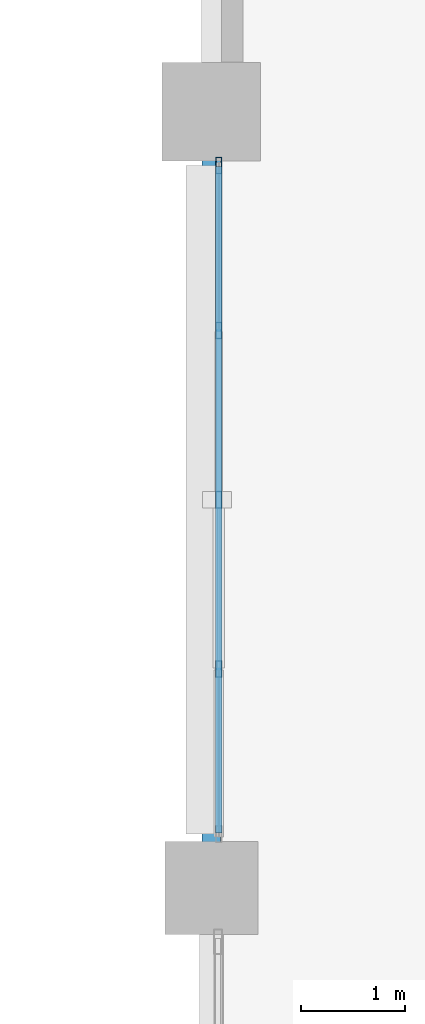
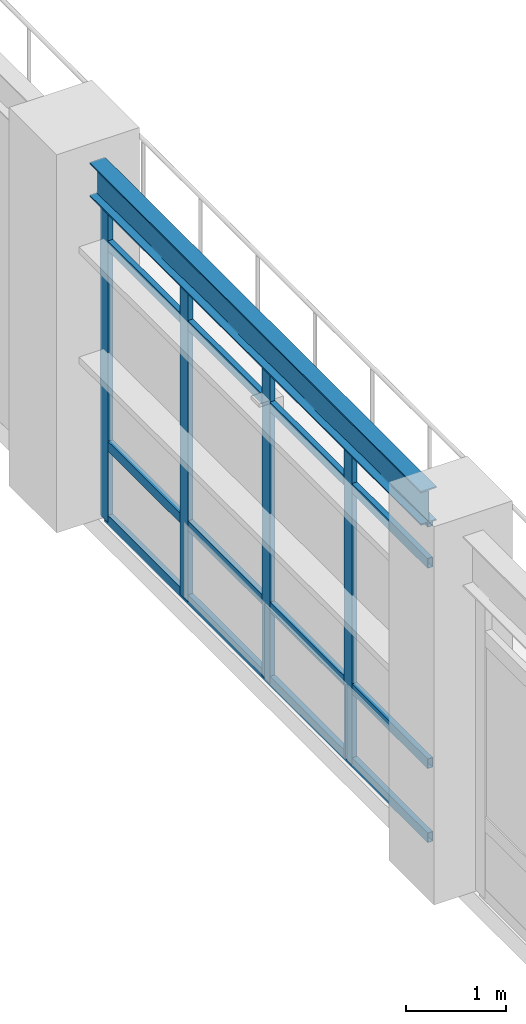
# One storey, part 97 of 168: 8 members, 1 beam, 1 element without a shape of its own.
"""IFC4 building model written with IfcOpenShell, lengths in metres."""

from ifc_helpers import new_model, si_unit, direction, frame, origin, origin_2d, place, context, subcontext, project, spatial, hollow_rectangle, i_section, extrude, material, material_profile, profile_set, type_object, element, aggregate, save


model = new_model("IFC4")

# Units and contexts
model_context = context("Model", 3, precision=1e-05, world=origin(), true_north=direction((0.0, 1.0)))
body_context = subcontext(model_context, "Body", "Model", "MODEL_VIEW")
ifc_project = project(units=[si_unit("LENGTHUNIT", "METRE"), si_unit("AREAUNIT", "SQUARE_METRE"), si_unit("VOLUMEUNIT", "CUBIC_METRE"), si_unit("PLANEANGLEUNIT", "RADIAN"), si_unit("MASSUNIT", "GRAM", prefix="KILO"), si_unit("THERMODYNAMICTEMPERATUREUNIT", "KELVIN"), si_unit("POWERUNIT", "WATT")], contexts=[model_context])

# Site, building, storey
site_placement = place(None, origin())
site = spatial("IfcSite", under=ifc_project, at=site_placement, CompositionType="ELEMENT")
building_placement = place(site_placement, origin())
building = spatial("IfcBuilding", under=site, at=building_placement, Name="Tepalcoro Natatorium and Aquatics Centre", CompositionType="ELEMENT")
storey_placement = place(building_placement, frame((0.0, 0.0, 10.199951171875)))
storey = spatial("IfcBuildingStorey", under=building, at=storey_placement, Name="L02", CompositionType="ELEMENT", Elevation=10.199951171875)

# Curtain wall, members
ifc_material_1 = material(Name="Bronze-Anodised Extruded Aluminium Alloy EN AW-6063 T6", Category="aluminium")
curtain_wall_type = type_object("IfcCurtainWallType", Name="CW_LEAN_T1_EW", PredefinedType="USERDEFINED", material=ifc_material_1)
curtain_wall_placement = place(storey_placement, origin())
curtain_wall = element("IfcCurtainWall", 1, at=curtain_wall_placement, inside=storey, type_object=curtain_wall_type, Name="V2 L02 W Unitised Curtain Wall Bay 3", ObjectType="FACETED SOLAR GLAZING", PredefinedType="USERDEFINED")
ifc_material_profile_1 = material_profile(ifc_material_1, hollow_rectangle(XDim=0.06005859375, YDim=0.159912109375, WallThickness=0.00390625, at=origin_2d()), Name="AL60X160X4")
ifc_profile_set_1 = profile_set([ifc_material_profile_1], Name="Bronze-Anodised Extruded Aluminium Alloy EN AW-6063 T6")
member_type_1 = type_object("IfcMemberType", Name="CW_MUL_60x160", PredefinedType="MULLION", material=ifc_profile_set_1)
member_1_placement = place(storey_placement, frame((142.0712890625, 22.614990234375, 0.02001953125), z_axis=(0.0, 0.0, 1.0), x_axis=(1.0, 0.0, 0.0)))
member_1 = element("IfcMember", 2, at=member_1_placement, type_object=member_type_1, Name="CW_LEAN_T1_EW Curtain Wall Mullion", PredefinedType="MULLION", context=body_context, shape_type="SweptSolid", body=[
    extrude(hollow_rectangle(XDim=0.06005859375, YDim=0.159912109375, WallThickness=0.00390625, at=origin_2d()), origin(), (0.0, 0.0, 1.0), 3.89697265625),
])
member_2_placement = place(storey_placement, frame((142.0712890625, 24.25, 0.02001953125), z_axis=(0.0, 0.0, 1.0), x_axis=(1.0, 0.0, 0.0)))
member_2 = element("IfcMember", 3, at=member_2_placement, type_object=member_type_1, Name="CW_LEAN_T1_EW Curtain Wall Mullion", PredefinedType="MULLION", context=body_context, shape_type="SweptSolid", body=[
    extrude(hollow_rectangle(XDim=0.06005859375, YDim=0.159912109375, WallThickness=0.00390625, at=origin_2d()), origin(), (0.0, 0.0, 1.0), 3.89697265625),
])
member_3_placement = place(storey_placement, frame((142.0712890625, 25.885009765625, 0.02001953125), z_axis=(0.0, 0.0, 1.0), x_axis=(1.0, 0.0, 0.0)))
member_3 = element("IfcMember", 4, at=member_3_placement, type_object=member_type_1, Name="CW_LEAN_T1_EW Curtain Wall Mullion", PredefinedType="MULLION", context=body_context, shape_type="SweptSolid", body=[
    extrude(hollow_rectangle(XDim=0.06005859375, YDim=0.159912109375, WallThickness=0.00390625, at=origin_2d()), origin(), (0.0, 0.0, 1.0), 3.89697265625),
])
member_4_placement = place(storey_placement, frame((142.0712890625, 27.47998046875, 0.02001953125), z_axis=(0.0, 0.0, 1.0), x_axis=(1.0, 0.0, 0.0)))
member_4 = element("IfcMember", 5, at=member_4_placement, type_object=member_type_1, Name="CW_LEAN_T1_EW Curtain Wall Mullion", PredefinedType="MULLION", context=body_context, shape_type="SweptSolid", body=[
    extrude(hollow_rectangle(XDim=0.06005859375, YDim=0.159912109375, WallThickness=0.00390625, at=origin_2d()), origin(), (0.0, 0.0, 1.0), 3.89697265625),
])
ifc_material_profile_2 = material_profile(ifc_material_1, hollow_rectangle(XDim=0.06005859375, YDim=0.1201171875, WallThickness=0.00390625, at=origin_2d()), Name="AL60X120X4")
ifc_profile_set_2 = profile_set([ifc_material_profile_2], Name="Bronze-Anodised Extruded Aluminium Alloy EN AW-6063 T6")
member_type_2 = type_object("IfcMemberType", Name="CW_TRN_60x120", PredefinedType="USERDEFINED", material=ifc_profile_set_2)
member_5_placement = place(storey_placement, frame((142.0712890625, 21.030029296875, 0.050048828125), z_axis=(0.0, 1.0, 0.0), x_axis=(-1.0, 0.0, 0.0)))
member_5 = element("IfcMember", 6, at=member_5_placement, type_object=member_type_2, Name="CW_LEAN_T1_EW Curtain Wall Transom", ObjectType="TRANSOM", PredefinedType="USERDEFINED", context=body_context, shape_type="SweptSolid", body=[
    extrude(hollow_rectangle(XDim=0.06005859375, YDim=0.1201171875, WallThickness=0.00390625, at=origin_2d()), origin(), (0.0, 0.0, 1.0), 6.43994140625),
])
member_6_placement = place(storey_placement, frame((142.0712890625, 21.030029296875, 0.949951171875), z_axis=(0.0, 1.0, 0.0), x_axis=(-1.0, 0.0, 0.0)))
member_6 = element("IfcMember", 7, at=member_6_placement, type_object=member_type_2, Name="CW_LEAN_T1_EW Curtain Wall Transom", ObjectType="TRANSOM", PredefinedType="USERDEFINED", context=body_context, shape_type="SweptSolid", body=[
    extrude(hollow_rectangle(XDim=0.06005859375, YDim=0.1201171875, WallThickness=0.00390625, at=origin_2d()), origin(), (0.0, 0.0, 1.0), 6.43994140625),
])
member_7_placement = place(storey_placement, frame((142.0712890625, 21.030029296875, 3.386962890625), z_axis=(0.0, 1.0, 0.0), x_axis=(-1.0, 0.0, 0.0)))
member_7 = element("IfcMember", 8, at=member_7_placement, type_object=member_type_2, Name="CW_LEAN_T1_EW Curtain Wall Transom", ObjectType="TRANSOM", PredefinedType="USERDEFINED", context=body_context, shape_type="SweptSolid", body=[
    extrude(hollow_rectangle(XDim=0.06005859375, YDim=0.1201171875, WallThickness=0.00390625, at=origin_2d()), origin(), (0.0, 0.0, 1.0), 6.43994140625),
])
member_8_placement = place(storey_placement, frame((142.0712890625, 21.030029296875, 3.886962890625), z_axis=(0.0, 1.0, 0.0), x_axis=(-1.0, 0.0, 0.0)))
member_8 = element("IfcMember", 9, at=member_8_placement, type_object=member_type_2, Name="CW_LEAN_T1_EW Curtain Wall Transom", ObjectType="TRANSOM", PredefinedType="USERDEFINED", context=body_context, shape_type="SweptSolid", body=[
    extrude(hollow_rectangle(XDim=0.06005859375, YDim=0.1201171875, WallThickness=0.00390625, at=origin_2d()), origin(), (0.0, 0.0, 1.0), 6.43994140625),
])
aggregate(curtain_wall, [member_1, member_2, member_3, member_4, member_5, member_6, member_7, member_8])

# Beam
ifc_material_2 = material(Name="Steel ASTM A992 Grade 50 (Fy 345 MPa)", Category="steel")
ifc_material_profile_3 = material_profile(ifc_material_2, i_section(OverallWidth=0.179931640625, OverallDepth=0.4130859375, WebThickness=0.010009765625, FlangeThickness=0.01611328125, FilletRadius=0.013916015625, at=origin_2d()), Name="W16X50")
ifc_profile_set_3 = profile_set([ifc_material_profile_3], Name="Steel ASTM A992 Grade 50 (Fy 345 MPa)")
beam_type = type_object("IfcBeamType", Name="SP_HSS300x200x12", PredefinedType="SPANDREL", material=ifc_profile_set_3)
beam_placement = place(storey_placement, frame((142.0, 20.93505859375, 4.158447265625), z_axis=(0.0, 1.0, 0.0), x_axis=(-1.0, 0.0, 0.0)))
element("IfcBeam", 10, at=beam_placement, inside=storey, type_object=beam_type, Name="V2 L02 Grid Girder Y", PredefinedType="SPANDREL", context=body_context, shape_type="SweptSolid", body=[
    extrude(i_section(OverallWidth=0.179931640625, OverallDepth=0.4130859375, WebThickness=0.010009765625, FlangeThickness=0.01611328125, FilletRadius=0.013916015625, at=origin_2d()), origin(), (0.0, 0.0, 1.0), 6.60498046875),
])

save(model, "model.ifc")
